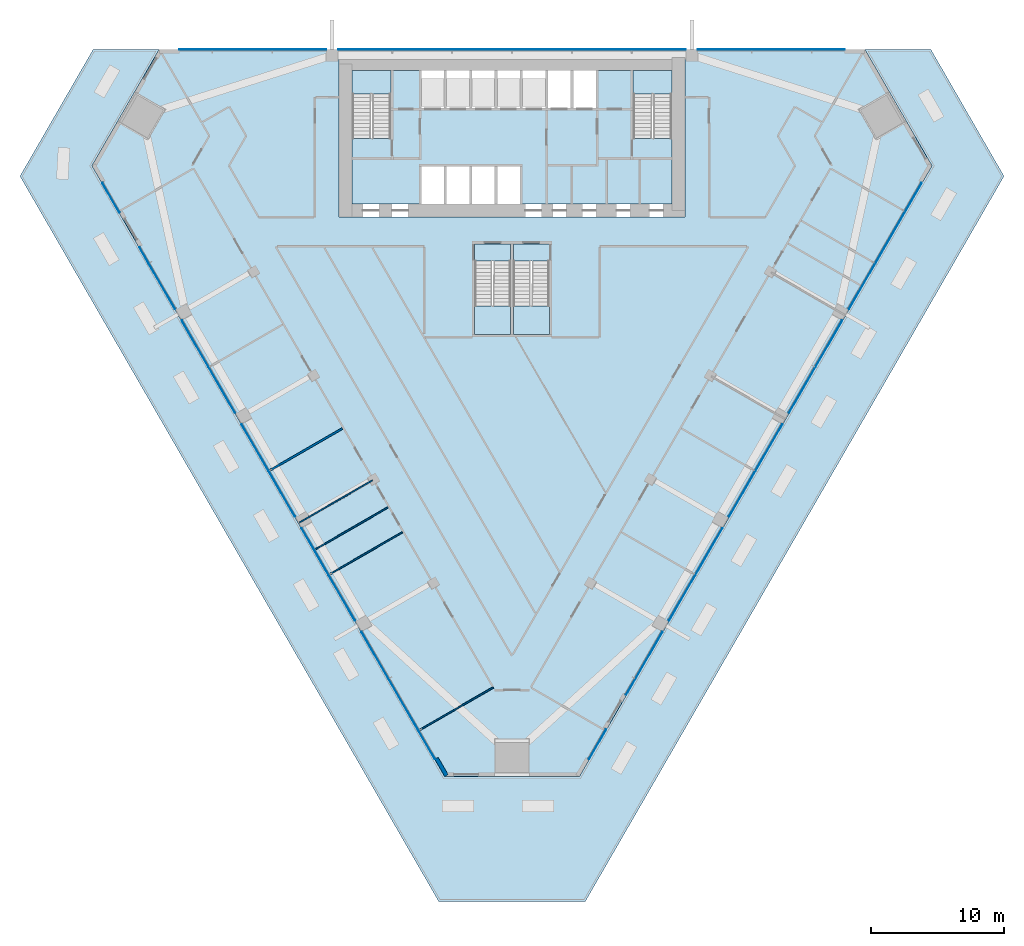
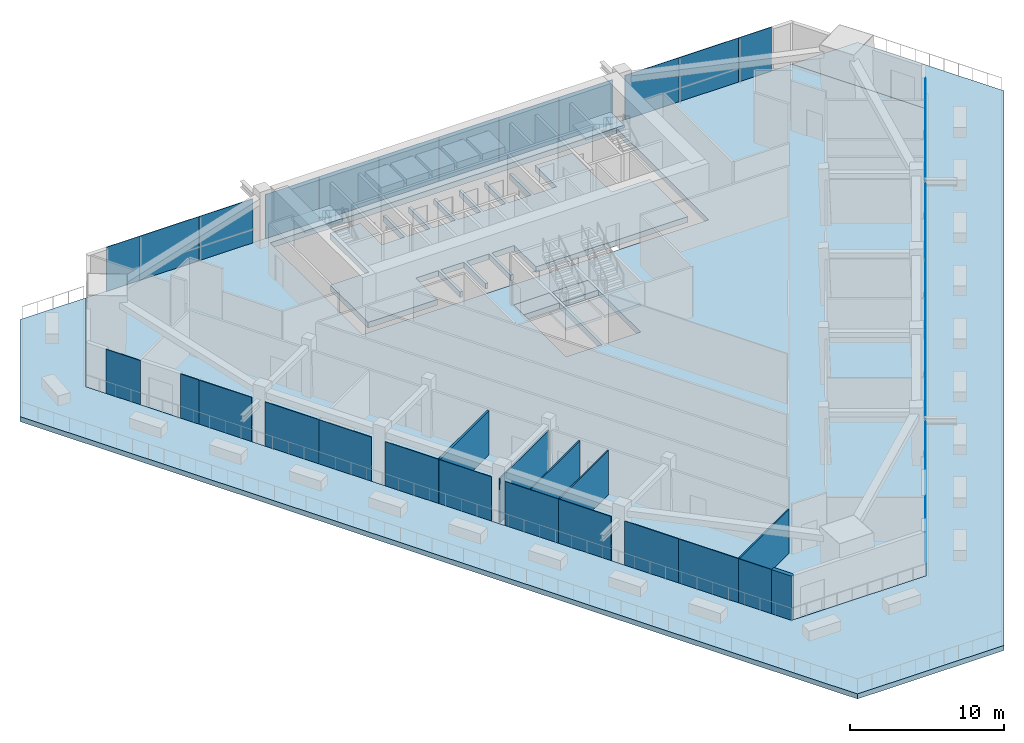
# One storey, part 8 of 15: 36 plates, 9 slabs, 6 walls, 7 elements without a shape of their own.
"""IFC4 building model written with IfcOpenShell, lengths in metres."""

from ifc_helpers import new_model, si_unit, direction, frame, frame_2d, origin, origin_2d, place, context, subcontext, project, spatial, polyline, rectangle, outline, extrude, material, layer, layer_set, type_object, element, aggregate, save


model = new_model("IFC4")

# Units and contexts
model_context = context("Model", 3, precision=1e-05, world=origin(), true_north=direction((0.0, 1.0)))
body_context = subcontext(model_context, "Body", "Model", "MODEL_VIEW")
ifc_project = project(units=[si_unit("LENGTHUNIT", "METRE"), si_unit("AREAUNIT", "SQUARE_METRE"), si_unit("VOLUMEUNIT", "CUBIC_METRE"), si_unit("PLANEANGLEUNIT", "RADIAN"), si_unit("MASSUNIT", "GRAM", prefix="KILO")], contexts=[model_context])

# Site, building, storey
site_placement = place(None, origin())
site = spatial("IfcSite", under=ifc_project, at=site_placement, CompositionType="ELEMENT")
building_placement = place(site_placement, origin())
building = spatial("IfcBuilding", under=site, at=building_placement, Name="Altiplano Prism Tower", CompositionType="ELEMENT")
storey_placement = place(building_placement, frame((0.0, 0.0, 22.5)))
storey = spatial("IfcBuildingStorey", under=building, at=storey_placement, Name="L04", CompositionType="ELEMENT", Elevation=22.5)

# Curtain wall, plates
ifc_material_1 = material(Name="Aluminium and glass", Category="aluminium")
ifc_layer_1 = layer(ifc_material_1, 0.303955078125)
ifc_layer_set_1 = layer_set([ifc_layer_1], Name="Aluminium and glass")
curtain_wall_type = type_object("IfcCurtainWallType", Name="CW2 lounge-band unitised glazing", PredefinedType="NOTDEFINED", material=ifc_layer_set_1)
curtain_wall_1_placement = place(storey_placement, origin())
curtain_wall_1 = element("IfcCurtainWall", 1, at=curtain_wall_1_placement, inside=storey, type_object=curtain_wall_type, Name="CW2 glazing north face L04", PredefinedType="NOTDEFINED")
ifc_material_2 = material(Name="Clear glass", Category="glass")
ifc_layer_2 = layer(ifc_material_2, 0.0439453125)
ifc_layer_set_2 = layer_set([ifc_layer_2], Name="Clear glass")
plate_type = type_object("IfcPlateType", Name="CW2 insulated glass unit 44", PredefinedType="CURTAIN_PANEL", material=ifc_layer_set_2)
plate_1_placement = place(storey_placement, frame((108.738525390625, 104.97802734375, 0.0), z_axis=(0.0, 0.0, 1.0), x_axis=(-1.0, 0.0, 0.0)))
plate_1 = element("IfcPlate", 2, at=plate_1_placement, type_object=plate_type, Name="CW2 panel", PredefinedType="CURTAIN_PANEL", context=body_context, shape_type="SweptSolid", body=[
    extrude(rectangle(XDim=2.466796875, YDim=0.0439453125, at=origin_2d()), origin(), (0.0, 0.0, 1.0), 3.5),
])
plate_2_placement = place(storey_placement, frame((105.25, 104.97802734375, 0.0), z_axis=(0.0, 0.0, 1.0), x_axis=(-1.0, 0.0, 0.0)))
plate_2 = element("IfcPlate", 3, at=plate_2_placement, type_object=plate_type, Name="CW2 panel", PredefinedType="CURTAIN_PANEL", context=body_context, shape_type="SweptSolid", body=[
    extrude(rectangle(XDim=4.489990234375, YDim=0.0439453125, at=origin_2d()), origin(), (0.0, 0.0, 1.0), 3.5),
])
plate_3_placement = place(storey_placement, frame((100.97509765625, 104.97802734375, 0.0), z_axis=(0.0, 0.0, 1.0), x_axis=(-1.0, 0.0, 0.0)))
plate_3 = element("IfcPlate", 4, at=plate_3_placement, type_object=plate_type, Name="CW2 panel", PredefinedType="CURTAIN_PANEL", context=body_context, shape_type="SweptSolid", body=[
    extrude(rectangle(XDim=4.0400390625, YDim=0.0439453125, at=origin_2d()), origin(), (0.0, 0.0, 1.0), 3.5),
])
plate_4_placement = place(storey_placement, frame((96.02490234375, 104.97802734375, 0.0), z_axis=(0.0, 0.0, 1.0), x_axis=(-1.0, 0.0, 0.0)))
plate_4 = element("IfcPlate", 5, at=plate_4_placement, type_object=plate_type, Name="CW2 panel", PredefinedType="CURTAIN_PANEL", context=body_context, shape_type="SweptSolid", body=[
    extrude(rectangle(XDim=4.0400390625, YDim=0.0439453125, at=origin_2d()), origin(), (0.0, 0.0, 1.0), 3.5),
])
plate_5_placement = place(storey_placement, frame((91.75, 104.97802734375, 0.0), z_axis=(0.0, 0.0, 1.0), x_axis=(-1.0, 0.0, 0.0)))
plate_5 = element("IfcPlate", 6, at=plate_5_placement, type_object=plate_type, Name="CW2 panel", PredefinedType="CURTAIN_PANEL", context=body_context, shape_type="SweptSolid", body=[
    extrude(rectangle(XDim=4.489990234375, YDim=0.0439453125, at=origin_2d()), origin(), (0.0, 0.0, 1.0), 3.5),
])
plate_6_placement = place(storey_placement, frame((87.25, 104.97802734375, 0.0), z_axis=(0.0, 0.0, 1.0), x_axis=(-1.0, 0.0, 0.0)))
plate_6 = element("IfcPlate", 7, at=plate_6_placement, type_object=plate_type, Name="CW2 panel", PredefinedType="CURTAIN_PANEL", context=body_context, shape_type="SweptSolid", body=[
    extrude(rectangle(XDim=4.489990234375, YDim=0.0439453125, at=origin_2d()), origin(), (0.0, 0.0, 1.0), 3.5),
])
plate_7_placement = place(storey_placement, frame((82.75, 104.97802734375, 0.0), z_axis=(0.0, 0.0, 1.0), x_axis=(-1.0, 0.0, 0.0)))
plate_7 = element("IfcPlate", 8, at=plate_7_placement, type_object=plate_type, Name="CW2 panel", PredefinedType="CURTAIN_PANEL", context=body_context, shape_type="SweptSolid", body=[
    extrude(rectangle(XDim=4.489990234375, YDim=0.0439453125, at=origin_2d()), origin(), (0.0, 0.0, 1.0), 3.5),
])
plate_8_placement = place(storey_placement, frame((78.25, 104.97802734375, 0.0), z_axis=(0.0, 0.0, 1.0), x_axis=(-1.0, 0.0, 0.0)))
plate_8 = element("IfcPlate", 9, at=plate_8_placement, type_object=plate_type, Name="CW2 panel", PredefinedType="CURTAIN_PANEL", context=body_context, shape_type="SweptSolid", body=[
    extrude(rectangle(XDim=4.489990234375, YDim=0.0439453125, at=origin_2d()), origin(), (0.0, 0.0, 1.0), 3.5),
])
plate_9_placement = place(storey_placement, frame((73.97509765625, 104.97802734375, 0.0), z_axis=(0.0, 0.0, 1.0), x_axis=(-1.0, 0.0, 0.0)))
plate_9 = element("IfcPlate", 10, at=plate_9_placement, type_object=plate_type, Name="CW2 panel", PredefinedType="CURTAIN_PANEL", context=body_context, shape_type="SweptSolid", body=[
    extrude(rectangle(XDim=4.0400390625, YDim=0.0439453125, at=origin_2d()), origin(), (0.0, 0.0, 1.0), 3.5),
])
plate_10_placement = place(storey_placement, frame((69.02490234375, 104.97802734375, 0.0), z_axis=(0.0, 0.0, 1.0), x_axis=(-1.0, 0.0, 0.0)))
plate_10 = element("IfcPlate", 11, at=plate_10_placement, type_object=plate_type, Name="CW2 panel", PredefinedType="CURTAIN_PANEL", context=body_context, shape_type="SweptSolid", body=[
    extrude(rectangle(XDim=4.0400390625, YDim=0.0439453125, at=origin_2d()), origin(), (0.0, 0.0, 1.0), 3.5),
])
plate_11_placement = place(storey_placement, frame((64.75, 104.97802734375, 0.0), z_axis=(0.0, 0.0, 1.0), x_axis=(-1.0, 0.0, 0.0)))
plate_11 = element("IfcPlate", 12, at=plate_11_placement, type_object=plate_type, Name="CW2 panel", PredefinedType="CURTAIN_PANEL", context=body_context, shape_type="SweptSolid", body=[
    extrude(rectangle(XDim=4.489990234375, YDim=0.0439453125, at=origin_2d()), origin(), (0.0, 0.0, 1.0), 3.5),
])
plate_12_placement = place(storey_placement, frame((61.261474609375, 104.97802734375, 0.0), z_axis=(0.0, 0.0, 1.0), x_axis=(-1.0, 0.0, 0.0)))
plate_12 = element("IfcPlate", 13, at=plate_12_placement, type_object=plate_type, Name="CW2 panel", PredefinedType="CURTAIN_PANEL", context=body_context, shape_type="SweptSolid", body=[
    extrude(rectangle(XDim=2.466796875, YDim=0.0439453125, at=origin_2d()), origin(), (0.0, 0.0, 1.0), 3.5),
])
aggregate(curtain_wall_1, [plate_1, plate_2, plate_3, plate_4, plate_5, plate_6, plate_7, plate_8, plate_9, plate_10, plate_11, plate_12])

curtain_wall_2_placement = place(storey_placement, origin())
curtain_wall_2 = element("IfcCurtainWall", 14, at=curtain_wall_2_placement, inside=storey, type_object=curtain_wall_type, Name="CW2 glazing south-west face L04", PredefinedType="NOTDEFINED")
plate_13_placement = place(storey_placement, frame((54.888427734375, 93.8525390625, 0.0), z_axis=(0.0, 0.0, 1.0), x_axis=(0.500000000423, -0.86602540354, 0.0)))
plate_13 = element("IfcPlate", 15, at=plate_13_placement, type_object=plate_type, Name="CW2 panel", PredefinedType="CURTAIN_PANEL", context=body_context, shape_type="SweptSolid", body=[
    extrude(rectangle(XDim=2.56689453125, YDim=0.0439453125, at=origin_2d()), origin(), (0.0, 0.0, 1.0), 3.5),
])
plate_14_placement = place(storey_placement, frame((57.382568359375, 89.532470703125, 0.0), z_axis=(0.0, 0.0, 1.0), x_axis=(0.500000000423, -0.86602540354, 0.0)))
plate_14 = element("IfcPlate", 16, at=plate_14_placement, type_object=plate_type, Name="CW2 panel", PredefinedType="CURTAIN_PANEL", context=body_context, shape_type="SweptSolid", body=[
    extrude(rectangle(XDim=1.389892578125, YDim=0.0439453125, at=origin_2d()), origin(), (0.0, 0.0, 1.0), 3.5),
])
plate_15_placement = place(storey_placement, frame((58.72021484375, 87.215576171875, 0.0), z_axis=(0.0, 0.0, 1.0), x_axis=(0.500000000423, -0.86602540354, 0.0)))
plate_15 = element("IfcPlate", 17, at=plate_15_placement, type_object=plate_type, Name="CW2 panel", PredefinedType="CURTAIN_PANEL", context=body_context, shape_type="SweptSolid", body=[
    extrude(rectangle(XDim=3.9404296875, YDim=0.0439453125, at=origin_2d()), origin(), (0.0, 0.0, 1.0), 3.5),
])
plate_16_placement = place(storey_placement, frame((61.22021484375, 82.885498046875, 0.0), z_axis=(0.0, 0.0, 1.0), x_axis=(0.500000000423, -0.86602540354, 0.0)))
plate_16 = element("IfcPlate", 18, at=plate_16_placement, type_object=plate_type, Name="CW2 panel", PredefinedType="CURTAIN_PANEL", context=body_context, shape_type="SweptSolid", body=[
    extrude(rectangle(XDim=4.039306640625, YDim=0.0439453125, at=origin_2d()), origin(), (0.0, 0.0, 1.0), 3.5),
])
plate_17_placement = place(storey_placement, frame((63.22021484375, 79.42138671875, 0.0), z_axis=(0.0, 0.0, 1.0), x_axis=(0.500000000423, -0.86602540354, 0.0)))
plate_17 = element("IfcPlate", 19, at=plate_17_placement, type_object=plate_type, Name="CW2 panel", PredefinedType="CURTAIN_PANEL", context=body_context, shape_type="SweptSolid", body=[
    extrude(rectangle(XDim=3.9404296875, YDim=0.0439453125, at=origin_2d()), origin(), (0.0, 0.0, 1.0), 3.5),
])
plate_18_placement = place(storey_placement, frame((65.72021484375, 75.09130859375, 0.0), z_axis=(0.0, 0.0, 1.0), x_axis=(0.500000000423, -0.86602540354, 0.0)))
plate_18 = element("IfcPlate", 20, at=plate_18_placement, type_object=plate_type, Name="CW2 panel", PredefinedType="CURTAIN_PANEL", context=body_context, shape_type="SweptSolid", body=[
    extrude(rectangle(XDim=4.039306640625, YDim=0.0439453125, at=origin_2d()), origin(), (0.0, 0.0, 1.0), 3.5),
])
plate_19_placement = place(storey_placement, frame((67.72021484375, 71.627197265625, 0.0), z_axis=(0.0, 0.0, 1.0), x_axis=(0.500000000423, -0.86602540354, 0.0)))
plate_19 = element("IfcPlate", 21, at=plate_19_placement, type_object=plate_type, Name="CW2 panel", PredefinedType="CURTAIN_PANEL", context=body_context, shape_type="SweptSolid", body=[
    extrude(rectangle(XDim=3.9404296875, YDim=0.0439453125, at=origin_2d()), origin(), (0.0, 0.0, 1.0), 3.5),
])
plate_20_placement = place(storey_placement, frame((70.22021484375, 67.296875, 0.0), z_axis=(0.0, 0.0, 1.0), x_axis=(0.500000000423, -0.86602540354, 0.0)))
plate_20 = element("IfcPlate", 22, at=plate_20_placement, type_object=plate_type, Name="CW2 panel", PredefinedType="CURTAIN_PANEL", context=body_context, shape_type="SweptSolid", body=[
    extrude(rectangle(XDim=4.039306640625, YDim=0.0439453125, at=origin_2d()), origin(), (0.0, 0.0, 1.0), 3.5),
])
plate_21_placement = place(storey_placement, frame((72.22021484375, 63.8330078125, 0.0), z_axis=(0.0, 0.0, 1.0), x_axis=(0.500000000423, -0.86602540354, 0.0)))
plate_21 = element("IfcPlate", 23, at=plate_21_placement, type_object=plate_type, Name="CW2 panel", PredefinedType="CURTAIN_PANEL", context=body_context, shape_type="SweptSolid", body=[
    extrude(rectangle(XDim=3.9404296875, YDim=0.0439453125, at=origin_2d()), origin(), (0.0, 0.0, 1.0), 3.5),
])
plate_22_placement = place(storey_placement, frame((74.72021484375, 59.502685546875, 0.0), z_axis=(0.0, 0.0, 1.0), x_axis=(0.500000000423, -0.86602540354, 0.0)))
plate_22 = element("IfcPlate", 24, at=plate_22_placement, type_object=plate_type, Name="CW2 panel", PredefinedType="CURTAIN_PANEL", context=body_context, shape_type="SweptSolid", body=[
    extrude(rectangle(XDim=4.039306640625, YDim=0.0439453125, at=origin_2d()), origin(), (0.0, 0.0, 1.0), 3.5),
])
plate_23_placement = place(storey_placement, frame((76.857421875, 55.80078125, 0.0), z_axis=(0.0, 0.0, 1.0), x_axis=(0.500000000423, -0.86602540354, 0.0)))
plate_23 = element("IfcPlate", 25, at=plate_23_placement, type_object=plate_type, Name="CW2 panel", PredefinedType="CURTAIN_PANEL", context=body_context, shape_type="SweptSolid", body=[
    extrude(rectangle(XDim=4.489990234375, YDim=0.0439453125, at=origin_2d()), origin(), (0.0, 0.0, 1.0), 3.5),
])
plate_24_placement = place(storey_placement, frame((78.601806640625, 52.77978515625, 0.0), z_axis=(0.0, 0.0, 1.0), x_axis=(0.500000000423, -0.86602540354, 0.0)))
plate_24 = element("IfcPlate", 26, at=plate_24_placement, type_object=plate_type, Name="CW2 panel", PredefinedType="CURTAIN_PANEL", context=body_context, shape_type="SweptSolid", body=[
    extrude(rectangle(XDim=2.466796875, YDim=0.0439453125, at=origin_2d()), origin(), (0.0, 0.0, 1.0), 3.5),
])
aggregate(curtain_wall_2, [plate_13, plate_14, plate_15, plate_16, plate_17, plate_18, plate_19, plate_20, plate_21, plate_22, plate_23, plate_24])

curtain_wall_3_placement = place(storey_placement, origin())
curtain_wall_3 = element("IfcCurtainWall", 27, at=curtain_wall_3_placement, inside=storey, type_object=curtain_wall_type, Name="CW2 glazing south-east face L04", PredefinedType="NOTDEFINED")
plate_25_placement = place(storey_placement, frame((91.42333984375, 52.8232421875, 0.0), z_axis=(0.0, 0.0, 1.0), x_axis=(0.500000000423, 0.86602540354, 0.0)))
plate_25 = element("IfcPlate", 28, at=plate_25_placement, type_object=plate_type, Name="CW2 panel", PredefinedType="CURTAIN_PANEL", context=body_context, shape_type="SweptSolid", body=[
    extrude(rectangle(XDim=2.56689453125, YDim=0.0439453125, at=origin_2d()), origin(), (0.0, 0.0, 1.0), 3.5),
])
plate_26_placement = place(storey_placement, frame((93.91748046875, 57.143310546875, 0.0), z_axis=(0.0, 0.0, 1.0), x_axis=(0.500000000423, 0.86602540354, 0.0)))
plate_26 = element("IfcPlate", 29, at=plate_26_placement, type_object=plate_type, Name="CW2 panel", PredefinedType="CURTAIN_PANEL", context=body_context, shape_type="SweptSolid", body=[
    extrude(rectangle(XDim=1.389892578125, YDim=0.0439453125, at=origin_2d()), origin(), (0.0, 0.0, 1.0), 3.5),
])
plate_27_placement = place(storey_placement, frame((95.27978515625, 59.502685546875, 0.0), z_axis=(0.0, 0.0, 1.0), x_axis=(0.500000000423, 0.86602540354, 0.0)))
plate_27 = element("IfcPlate", 30, at=plate_27_placement, type_object=plate_type, Name="CW2 panel", PredefinedType="CURTAIN_PANEL", context=body_context, shape_type="SweptSolid", body=[
    extrude(rectangle(XDim=4.039306640625, YDim=0.0439453125, at=origin_2d()), origin(), (0.0, 0.0, 1.0), 3.5),
])
plate_28_placement = place(storey_placement, frame((97.77978515625, 63.8330078125, 0.0), z_axis=(0.0, 0.0, 1.0), x_axis=(0.500000000423, 0.86602540354, 0.0)))
plate_28 = element("IfcPlate", 31, at=plate_28_placement, type_object=plate_type, Name="CW2 panel", PredefinedType="CURTAIN_PANEL", context=body_context, shape_type="SweptSolid", body=[
    extrude(rectangle(XDim=3.9404296875, YDim=0.0439453125, at=origin_2d()), origin(), (0.0, 0.0, 1.0), 3.5),
])
plate_29_placement = place(storey_placement, frame((99.77978515625, 67.296875, 0.0), z_axis=(0.0, 0.0, 1.0), x_axis=(0.500000000423, 0.86602540354, 0.0)))
plate_29 = element("IfcPlate", 32, at=plate_29_placement, type_object=plate_type, Name="CW2 panel", PredefinedType="CURTAIN_PANEL", context=body_context, shape_type="SweptSolid", body=[
    extrude(rectangle(XDim=4.039306640625, YDim=0.0439453125, at=origin_2d()), origin(), (0.0, 0.0, 1.0), 3.5),
])
plate_30_placement = place(storey_placement, frame((102.27978515625, 71.627197265625, 0.0), z_axis=(0.0, 0.0, 1.0), x_axis=(0.500000000423, 0.86602540354, 0.0)))
plate_30 = element("IfcPlate", 33, at=plate_30_placement, type_object=plate_type, Name="CW2 panel", PredefinedType="CURTAIN_PANEL", context=body_context, shape_type="SweptSolid", body=[
    extrude(rectangle(XDim=3.9404296875, YDim=0.0439453125, at=origin_2d()), origin(), (0.0, 0.0, 1.0), 3.5),
])
plate_31_placement = place(storey_placement, frame((104.27978515625, 75.09130859375, 0.0), z_axis=(0.0, 0.0, 1.0), x_axis=(0.500000000423, 0.86602540354, 0.0)))
plate_31 = element("IfcPlate", 34, at=plate_31_placement, type_object=plate_type, Name="CW2 panel", PredefinedType="CURTAIN_PANEL", context=body_context, shape_type="SweptSolid", body=[
    extrude(rectangle(XDim=4.039306640625, YDim=0.0439453125, at=origin_2d()), origin(), (0.0, 0.0, 1.0), 3.5),
])
plate_32_placement = place(storey_placement, frame((106.77978515625, 79.42138671875, 0.0), z_axis=(0.0, 0.0, 1.0), x_axis=(0.500000000423, 0.86602540354, 0.0)))
plate_32 = element("IfcPlate", 35, at=plate_32_placement, type_object=plate_type, Name="CW2 panel", PredefinedType="CURTAIN_PANEL", context=body_context, shape_type="SweptSolid", body=[
    extrude(rectangle(XDim=3.9404296875, YDim=0.0439453125, at=origin_2d()), origin(), (0.0, 0.0, 1.0), 3.5),
])
plate_33_placement = place(storey_placement, frame((108.77978515625, 82.885498046875, 0.0), z_axis=(0.0, 0.0, 1.0), x_axis=(0.500000000423, 0.86602540354, 0.0)))
plate_33 = element("IfcPlate", 36, at=plate_33_placement, type_object=plate_type, Name="CW2 panel", PredefinedType="CURTAIN_PANEL", context=body_context, shape_type="SweptSolid", body=[
    extrude(rectangle(XDim=4.039306640625, YDim=0.0439453125, at=origin_2d()), origin(), (0.0, 0.0, 1.0), 3.5),
])
plate_34_placement = place(storey_placement, frame((111.27978515625, 87.215576171875, 0.0), z_axis=(0.0, 0.0, 1.0), x_axis=(0.500000000423, 0.86602540354, 0.0)))
plate_34 = element("IfcPlate", 37, at=plate_34_placement, type_object=plate_type, Name="CW2 panel", PredefinedType="CURTAIN_PANEL", context=body_context, shape_type="SweptSolid", body=[
    extrude(rectangle(XDim=3.9404296875, YDim=0.0439453125, at=origin_2d()), origin(), (0.0, 0.0, 1.0), 3.5),
])
plate_35_placement = place(storey_placement, frame((113.392578125, 90.874755859375, 0.0), z_axis=(0.0, 0.0, 1.0), x_axis=(0.500000000423, 0.86602540354, 0.0)))
plate_35 = element("IfcPlate", 38, at=plate_35_placement, type_object=plate_type, Name="CW2 panel", PredefinedType="CURTAIN_PANEL", context=body_context, shape_type="SweptSolid", body=[
    extrude(rectangle(XDim=4.489990234375, YDim=0.0439453125, at=origin_2d()), origin(), (0.0, 0.0, 1.0), 3.5),
])
plate_36_placement = place(storey_placement, frame((115.13671875, 93.89599609375, 0.0), z_axis=(0.0, 0.0, 1.0), x_axis=(0.500000000423, 0.86602540354, 0.0)))
plate_36 = element("IfcPlate", 39, at=plate_36_placement, type_object=plate_type, Name="CW2 panel", PredefinedType="CURTAIN_PANEL", context=body_context, shape_type="SweptSolid", body=[
    extrude(rectangle(XDim=2.466796875, YDim=0.0439453125, at=origin_2d()), origin(), (0.0, 0.0, 1.0), 3.5),
])
aggregate(curtain_wall_3, [plate_25, plate_26, plate_27, plate_28, plate_29, plate_30, plate_31, plate_32, plate_33, plate_34, plate_35, plate_36])

# Slabs
ifc_material_3 = material(Name="Concrete C40/50", Category="concrete")
ifc_layer_3 = layer(ifc_material_3, 0.449951171875)
ifc_layer_set_3 = layer_set([ifc_layer_3], Name="Concrete C40/50")
slab_type_1 = type_object("IfcSlabType", Name="Core floor slab 450", PredefinedType="FLOOR", material=ifc_layer_set_3)
slab_1_placement = place(storey_placement, frame((0.0, 0.0, -0.449951171875)))
element("IfcSlab", 40, at=slab_1_placement, inside=storey, type_object=slab_type_1, Name="Core floor slab L04", PredefinedType="FLOOR", context=body_context, shape_type="SweptSolid", body=[
    extrude(outline(polyline([(97.0, 98.31005859375), (94.10009765625, 98.31005859375), (94.10009765625, 103.39990234375), (91.300048828125, 103.39990234375), (91.300048828125, 100.60009765625), (89.60009765625, 100.60009765625), (89.60009765625, 103.39990234375), (89.39990234375, 103.39990234375), (89.39990234375, 100.60009765625), (87.699951171875, 100.60009765625), (87.699951171875, 103.39990234375), (87.5, 103.39990234375), (87.5, 100.60009765625), (85.800048828125, 100.60009765625), (85.800048828125, 103.39990234375), (85.60009765625, 103.39990234375), (85.60009765625, 100.60009765625), (83.89990234375, 100.60009765625), (83.89990234375, 103.39990234375), (83.699951171875, 103.39990234375), (83.699951171875, 100.60009765625), (82.0, 100.60009765625), (82.0, 103.39990234375), (81.800048828125, 103.39990234375), (81.800048828125, 100.60009765625), (80.10009765625, 100.60009765625), (80.10009765625, 103.39990234375), (79.89990234375, 103.39990234375), (79.89990234375, 100.60009765625), (78.199951171875, 100.60009765625), (78.199951171875, 103.39990234375), (75.89990234375, 103.39990234375), (75.89990234375, 98.31005859375), (73.0, 98.31005859375), (73.0, 93.39990234375), (78.199951171875, 93.39990234375), (78.199951171875, 96.199951171875), (79.89990234375, 96.199951171875), (79.89990234375, 93.39990234375), (80.10009765625, 93.39990234375), (80.10009765625, 96.199951171875), (81.800048828125, 96.199951171875), (81.800048828125, 93.39990234375), (82.0, 93.39990234375), (82.0, 96.199951171875), (83.699951171875, 96.199951171875), (83.699951171875, 93.39990234375), (83.89990234375, 93.39990234375), (83.89990234375, 96.199951171875), (85.60009765625, 96.199951171875), (85.60009765625, 93.39990234375), (97.0, 93.39990234375), (97.0, 98.31005859375)])), origin(), (0.0, 0.0, 1.0), 0.449951171875),
])
slab_2_placement = place(storey_placement, frame((0.0, 0.0, -0.449951171875)))
element("IfcSlab", 41, at=slab_2_placement, inside=storey, type_object=slab_type_1, Name="Stair 3A landing slab L04", PredefinedType="FLOOR", context=body_context, shape_type="SweptSolid", body=[
    extrude(outline(polyline([(82.199951171875, 89.096923828125), (84.89990234375, 89.096923828125), (84.89990234375, 90.39990234375), (82.199951171875, 90.39990234375), (82.199951171875, 89.096923828125)])), origin(), (0.0, 0.0, 1.0), 0.449951171875),
])
slab_3_placement = place(storey_placement, frame((0.0, 0.0, -0.449951171875)))
element("IfcSlab", 42, at=slab_3_placement, inside=storey, type_object=slab_type_1, Name="Stair 3B landing slab L04", PredefinedType="FLOOR", context=body_context, shape_type="SweptSolid", body=[
    extrude(outline(polyline([(85.10009765625, 89.096923828125), (87.800048828125, 89.096923828125), (87.800048828125, 90.39990234375), (85.10009765625, 90.39990234375), (85.10009765625, 89.096923828125)])), origin(), (0.0, 0.0, 1.0), 0.449951171875),
])
ifc_layer_4 = layer(ifc_material_3, 0.449951171875)
ifc_layer_set_4 = layer_set([ifc_layer_4], Name="Concrete C40/50")
slab_type_2 = type_object("IfcSlabType", Name="Post-tensioned flat slab 450", PredefinedType="FLOOR", material=ifc_layer_set_4)
slab_4_placement = place(storey_placement, frame((0.0, 0.0, -0.449951171875)))
element("IfcSlab", 43, at=slab_4_placement, inside=storey, type_object=slab_type_2, Name="Floor slab L04", PredefinedType="FLOOR", context=body_context, shape_type="SweptSolid", body=[
    extrude(outline(polyline([(79.951904296875, 50.397216796875), (53.47509765625, 96.25634765625), (58.523193359375, 105.0), (111.476806640625, 105.0), (116.52490234375, 96.25634765625), (90.048095703125, 50.397216796875), (79.951904296875, 50.397216796875)]), holes=[polyline([(72.0, 104.39990234375), (72.0, 92.39990234375), (98.0, 92.39990234375), (98.0, 104.39990234375), (72.0, 104.39990234375)]), polyline([(84.89990234375, 90.39990234375), (82.199951171875, 90.39990234375), (82.199951171875, 83.60009765625), (84.89990234375, 83.60009765625), (84.89990234375, 90.39990234375)]), polyline([(87.800048828125, 83.60009765625), (87.800048828125, 90.39990234375), (85.10009765625, 90.39990234375), (85.10009765625, 83.60009765625), (87.800048828125, 83.60009765625)])]), origin(), (0.0, 0.0, 1.0), 0.449951171875),
])

# Stair, slab
stair_type_1 = type_object("IfcStairType", Name="Exit stair 1400", PredefinedType="HALF_TURN_STAIR", material=ifc_material_3)
stair_1_placement = place(storey_placement, origin())
stair_1 = element("IfcStair", 44, at=stair_1_placement, inside=storey, type_object=stair_type_1, Name="L04 Exit Stair 1", PredefinedType="HALF_TURN_STAIR")
ifc_layer_5 = layer(ifc_material_3, 0.199951171875)
ifc_layer_set_5 = layer_set([ifc_layer_5], Name="Concrete C40/50")
slab_type_3 = type_object("IfcSlabType", Name="Stair landing 200", PredefinedType="LANDING", material=ifc_layer_set_5)
slab_5_placement = place(storey_placement, frame((0.0, 0.0, 2.050048828125)))
slab_5 = element("IfcSlab", 45, at=slab_5_placement, type_object=slab_type_3, Name="ST1 landing 1", PredefinedType="LANDING", context=body_context, shape_type="SweptSolid", body=[
    extrude(outline(polyline([(75.89990234375, 101.656982421875), (75.89990234375, 103.39990234375), (73.0, 103.39990234375), (73.0, 101.656982421875), (75.89990234375, 101.656982421875)])), origin(), (0.0, 0.0, 1.0), 0.199951171875),
])
aggregate(stair_1, [slab_5])

stair_2_placement = place(storey_placement, origin())
stair_2 = element("IfcStair", 46, at=stair_2_placement, inside=storey, type_object=stair_type_1, Name="L04 Exit Stair 2", PredefinedType="HALF_TURN_STAIR")
slab_6_placement = place(storey_placement, frame((0.0, 0.0, 2.050048828125)))
slab_6 = element("IfcSlab", 47, at=slab_6_placement, type_object=slab_type_3, Name="ST2 landing 1", PredefinedType="LANDING", context=body_context, shape_type="SweptSolid", body=[
    extrude(outline(polyline([(97.0, 101.656982421875), (97.0, 103.39990234375), (94.10009765625, 103.39990234375), (94.10009765625, 101.656982421875), (97.0, 101.656982421875)])), origin(), (0.0, 0.0, 1.0), 0.199951171875),
])
aggregate(stair_2, [slab_6])

stair_type_2 = type_object("IfcStairType", Name="Exit stair 1300", PredefinedType="HALF_TURN_STAIR", material=ifc_material_3)
stair_3_placement = place(storey_placement, origin())
stair_3 = element("IfcStair", 48, at=stair_3_placement, inside=storey, type_object=stair_type_2, Name="L04 Exit Stair 3A", PredefinedType="HALF_TURN_STAIR")
slab_7_placement = place(storey_placement, frame((0.0, 0.0, 2.050048828125)))
slab_7 = element("IfcSlab", 49, at=slab_7_placement, type_object=slab_type_3, Name="ST3A landing 1", PredefinedType="LANDING", context=body_context, shape_type="SweptSolid", body=[
    extrude(outline(polyline([(82.199951171875, 85.742919921875), (82.199951171875, 83.60009765625), (84.89990234375, 83.60009765625), (84.89990234375, 85.742919921875), (82.199951171875, 85.742919921875)])), origin(), (0.0, 0.0, 1.0), 0.199951171875),
])
aggregate(stair_3, [slab_7])

stair_4_placement = place(storey_placement, origin())
stair_4 = element("IfcStair", 50, at=stair_4_placement, inside=storey, type_object=stair_type_2, Name="L04 Exit Stair 3B", PredefinedType="HALF_TURN_STAIR")
slab_8_placement = place(storey_placement, frame((0.0, 0.0, 2.050048828125)))
slab_8 = element("IfcSlab", 51, at=slab_8_placement, type_object=slab_type_3, Name="ST3B landing 1", PredefinedType="LANDING", context=body_context, shape_type="SweptSolid", body=[
    extrude(outline(polyline([(85.10009765625, 85.742919921875), (85.10009765625, 83.60009765625), (87.800048828125, 83.60009765625), (87.800048828125, 85.742919921875), (85.10009765625, 85.742919921875)])), origin(), (0.0, 0.0, 1.0), 0.199951171875),
])
aggregate(stair_4, [slab_8])

# Slab
ifc_material_4 = material(Name="Concrete C40", Category="concrete")
ifc_layer_6 = layer(ifc_material_4, 0.39990234375)
ifc_layer_set_6 = layer_set([ifc_layer_6], Name="Concrete C40")
slab_type_4 = type_object("IfcSlabType", Name="Terrace slab 400", PredefinedType="FLOOR", material=ifc_layer_set_6)
slab_9_placement = place(storey_placement, frame((0.0, 0.0, -0.39990234375)))
element("IfcSlab", 52, at=slab_9_placement, inside=storey, type_object=slab_type_4, Name="Podium terrace slab", PredefinedType="FLOOR", context=body_context, shape_type="SweptSolid", body=[
    extrude(outline(polyline([(111.476806640625, 105.0), (116.52490234375, 96.25634765625), (90.048095703125, 50.397216796875), (79.951904296875, 50.397216796875), (53.47509765625, 96.25634765625), (58.523193359375, 105.0), (53.564697265625, 105.0), (48.064697265625, 95.4736328125), (79.5, 41.0263671875), (90.5, 41.0263671875), (121.935302734375, 95.4736328125), (116.435302734375, 105.0), (111.476806640625, 105.0)])), origin(), (0.0, 0.0, 1.0), 0.39990234375),
])

# Walls
ifc_material_5 = material(Name="Plasterboard on steel stud", Category="steel")
ifc_layer_7 = layer(ifc_material_5, 0.10009765625)
ifc_layer_set_7 = layer_set([ifc_layer_7], Name="Plasterboard on steel stud")
wall_type_1 = type_object("IfcWallType", Name="Partition 100 wet", PredefinedType="PARTITIONING", material=ifc_layer_set_7)
wall_1_placement = place(storey_placement, frame((69.050048828125, 69.479736328125, 0.0), z_axis=(0.0, 0.0, 1.0), x_axis=(0.866032601554, 0.49998753289, 0.0)))
element("IfcWall", 53, at=wall_1_placement, inside=storey, type_object=wall_type_1, Name="Partition P03 L04 034", PredefinedType="PARTITIONING", context=body_context, shape_type="SweptSolid", body=[
    extrude(rectangle(XDim=6.324951171875, YDim=0.10009765625, at=frame_2d((3.16259765625, 0.0))), origin(), (0.0, 0.0, 1.0), 3.5),
])
wall_2_placement = place(storey_placement, frame((70.206787109375, 67.4443359375, 0.0), z_axis=(0.0, 0.0, 1.0), x_axis=(0.866031065609, 0.499990193304, 0.0)))
element("IfcWall", 54, at=wall_2_placement, inside=storey, type_object=wall_type_1, Name="Partition P03 L04 035", PredefinedType="PARTITIONING", context=body_context, shape_type="SweptSolid", body=[
    extrude(rectangle(XDim=6.341064453125, YDim=0.10009765625, at=frame_2d((3.17041015625, 0.0))), origin(), (0.0, 0.0, 1.0), 3.5),
])
wall_3_placement = place(storey_placement, frame((71.300048828125, 65.58251953125, 0.0), z_axis=(0.0, 0.0, 1.0), x_axis=(0.866015887322, 0.500016482634, 0.0)))
element("IfcWall", 55, at=wall_3_placement, inside=storey, type_object=wall_type_1, Name="Partition P03 L04 036", PredefinedType="PARTITIONING", context=body_context, shape_type="SweptSolid", body=[
    extrude(rectangle(XDim=6.324951171875, YDim=0.10009765625, at=frame_2d((3.16259765625, 0.0))), origin(), (0.0, 0.0, 1.0), 3.5),
])
wall_4_placement = place(storey_placement, frame((78.050048828125, 53.891357421875, 0.0), z_axis=(0.0, 0.0, 1.0), x_axis=(0.866025499775, 0.499999833739, 0.0)))
element("IfcWall", 56, at=wall_4_placement, inside=storey, type_object=wall_type_1, Name="Partition P03 L04 037", PredefinedType="PARTITIONING", context=body_context, shape_type="SweptSolid", body=[
    extrude(rectangle(XDim=6.39990234375, YDim=0.10009765625, at=frame_2d((3.199951171875, 0.0))), origin(), (0.0, 0.0, 1.0), 3.5),
])
ifc_layer_8 = layer(ifc_material_5, 0.14990234375)
ifc_layer_set_8 = layer_set([ifc_layer_8], Name="Plasterboard on steel stud")
wall_type_2 = type_object("IfcWallType", Name="Partition 150 party", PredefinedType="PARTITIONING", material=ifc_layer_set_8)
wall_5_placement = place(storey_placement, frame((66.800048828125, 73.376708984375, 0.0), z_axis=(0.0, 0.0, 1.0), x_axis=(0.866015887322, 0.500016482634, 0.0)))
element("IfcWall", 57, at=wall_5_placement, inside=storey, type_object=wall_type_2, Name="Partition P01 L04 033", PredefinedType="PARTITIONING", context=body_context, shape_type="SweptSolid", body=[
    extrude(rectangle(XDim=6.324951171875, YDim=0.14990234375, at=frame_2d((3.16259765625, 0.0))), origin(), (0.0, 0.0, 1.0), 3.5),
])
ifc_layer_9 = layer(ifc_material_4, 0.300048828125)
ifc_layer_set_9 = layer_set([ifc_layer_9], Name="Concrete C40")
wall_type_3 = type_object("IfcWallType", Name="Stone-clad external wall 300", PredefinedType="SOLIDWALL", material=ifc_layer_set_9)
wall_6_placement = place(storey_placement, frame((80.081787109375, 50.47216796875, 0.0), z_axis=(0.0, 0.0, 1.0), x_axis=(-0.499990139034, 0.866031096941, 0.0)))
element("IfcWall", 58, at=wall_6_placement, inside=storey, type_object=wall_type_3, Name="External wall south-west face L04", PredefinedType="SOLIDWALL", context=body_context, shape_type="SweptSolid", body=[
    extrude(rectangle(XDim=1.5, YDim=0.300048828125, at=frame_2d((0.75, 0.0))), origin(), (0.0, 0.0, 1.0), 3.5),
])

save(model, "model.ifc")
